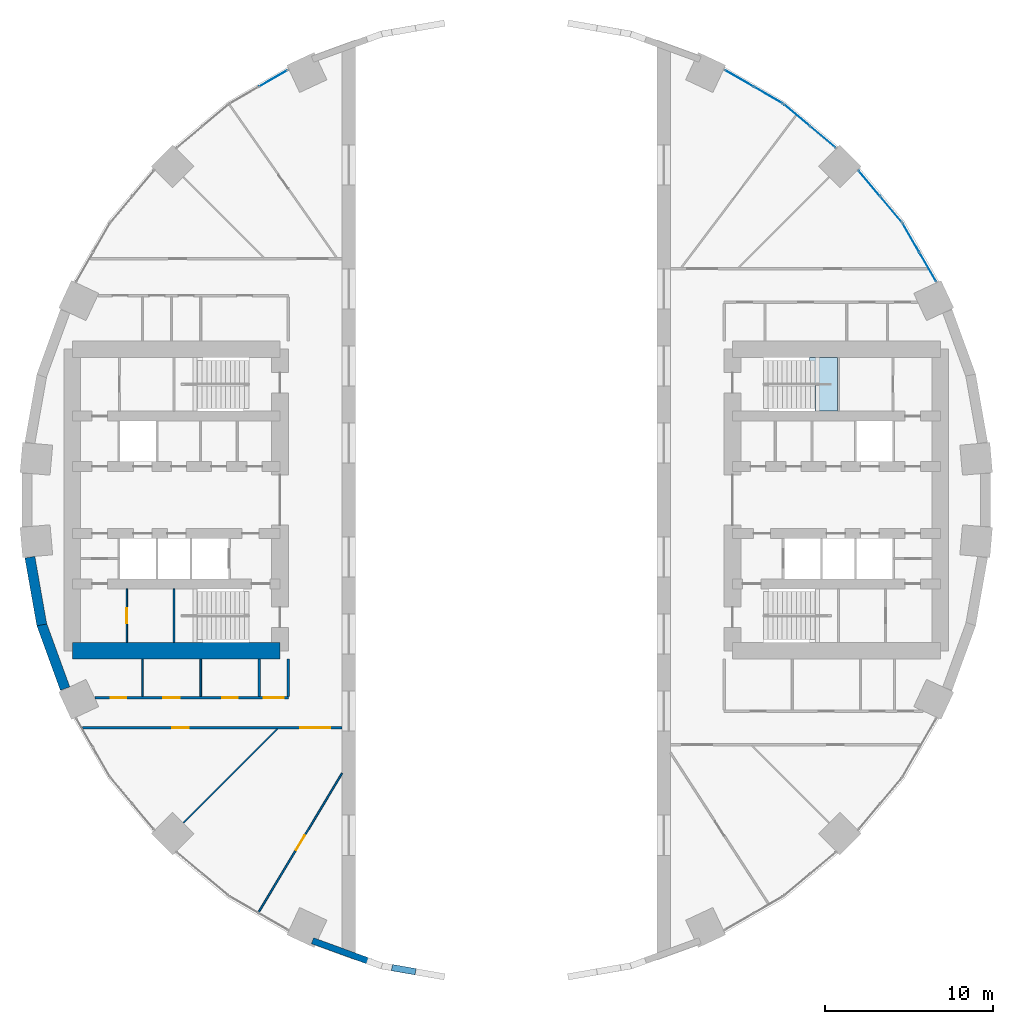
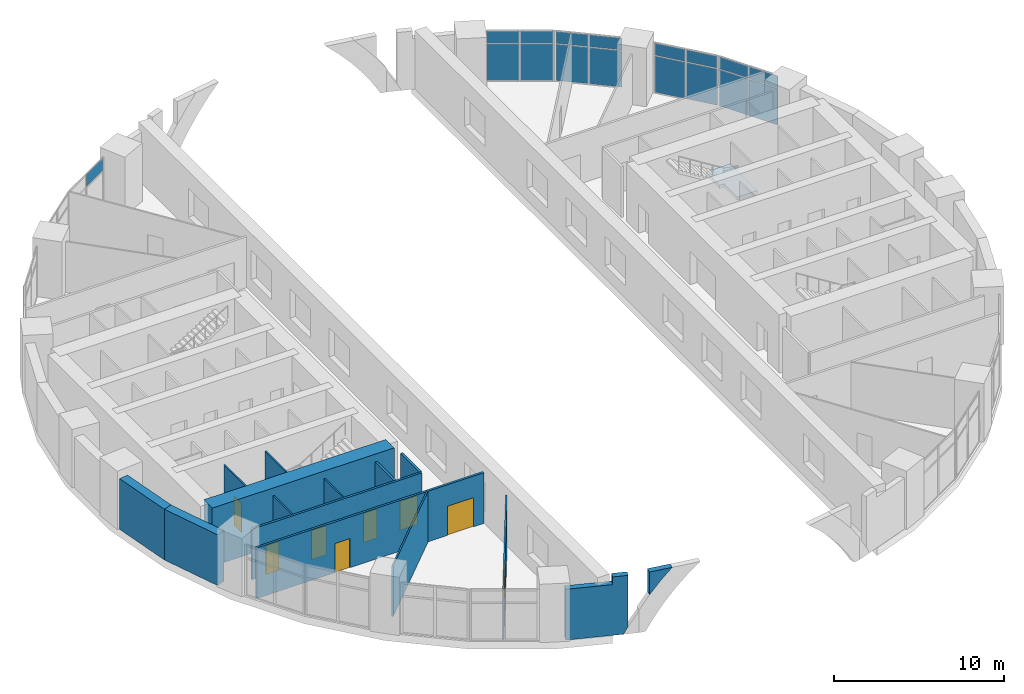
# One storey, part 7 of 13: 17 plates, 15 walls, 8 doors, 1 slab, 8 openings, 6 elements without a shape of their own.
"""IFC4 building model written with IfcOpenShell, lengths in metres."""

import ifcopenshell
import ifcopenshell.guid

model = None  # the IFC model being written
_history = None  # IfcOwnerHistory: only IFC2X3 demands one
_inside = {}  # id of a spatial element -> (the spatial element, [elements in it])
_under = {}  # id of a project, library or spatial element -> (it, [spatial elements below it])
_declared = {}  # id of a project -> (the project, [libraries it declares])
_typed = {}  # id of a type object -> (the type object, [elements of that type])
_made_of = {}  # id of a material, layer set ... -> (it, [elements and type objects made of it])


def new_model(schema):
    """Start an empty IFC model of exactly this schema.

    Asked for "IFC4X3", IfcOpenShell would pick the latest addendum, in which some entities
    have other attributes; the version numbers below select the first issue.
    IFC2X3 requires an IfcOwnerHistory on every rooted entity: one is made here for all.
    """
    global model, _history
    if schema == "IFC4X3":
        model = ifcopenshell.file(schema_version=(4, 3, 0, 0))
    else:
        model = ifcopenshell.file(schema=schema)
    _inside.clear()
    _under.clear()
    _declared.clear()
    _typed.clear()
    _made_of.clear()
    _history = None
    if model.schema == "IFC2X3":
        org = make("IfcOrganization", Name="unknown")
        user = make(
            "IfcPersonAndOrganization",
            ThePerson=make("IfcPerson", FamilyName="unknown"),
            TheOrganization=org,
        )
        app = make(
            "IfcApplication",
            ApplicationDeveloper=org,
            Version="unknown",
            ApplicationFullName="unknown",
            ApplicationIdentifier="unknown",
        )
        _history = make(
            "IfcOwnerHistory",
            OwningUser=user,
            OwningApplication=app,
            ChangeAction="ADDED",
            CreationDate=0,
        )
    return model


def make(cls, **values):
    """One entity of the class cls with the attributes given. An attribute that is None is left unset."""
    return model.create_entity(
        cls, **{name: value for name, value in values.items() if value is not None}
    )


def rooted(cls, **values):
    """An entity with a GlobalId (a new one), such as an element, a storey or a relation."""
    return make(cls, GlobalId=ifcopenshell.guid.new(), OwnerHistory=_history, **values)


def si_unit(unit_type, name, prefix=None):
    """IfcSIUnit, for example si_unit("LENGTHUNIT", "METRE", prefix="MILLI")."""
    return make("IfcSIUnit", UnitType=unit_type, Prefix=prefix, Name=name)


def assignment(units):
    """IfcUnitAssignment: the units of a project."""
    return None if units is None else make("IfcUnitAssignment", Units=units)


def point(xyz):
    """IfcCartesianPoint."""
    return None if xyz is None else make("IfcCartesianPoint", Coordinates=xyz)


def direction(xyz):
    """IfcDirection."""
    return None if xyz is None else make("IfcDirection", DirectionRatios=xyz)


def frame(location, z_axis=None, x_axis=None):
    """IfcAxis2Placement3D, a coordinate frame: its origin and axes. An axis left out is left unset."""
    return make(
        "IfcAxis2Placement3D",
        Location=point(location),
        Axis=direction(z_axis),
        RefDirection=direction(x_axis),
    )


def frame_2d(location, x_axis=None):
    """IfcAxis2Placement2D, a coordinate frame in the plane: its origin and x axis."""
    return make(
        "IfcAxis2Placement2D", Location=point(location), RefDirection=direction(x_axis)
    )


def origin():
    """The frame at (0, 0, 0) with its axes left unset."""
    return frame((0.0, 0.0, 0.0))


def origin_2d():
    """The frame at (0, 0) in the plane with its x axis left unset."""
    return frame_2d((0.0, 0.0))


def place(relative_to, where):
    """IfcLocalPlacement: puts the frame where relative to a parent placement (None: the world)."""
    return make(
        "IfcLocalPlacement", PlacementRelTo=relative_to, RelativePlacement=where
    )


def context(
    kind, dimensions, precision=None, world=None, true_north=None, identifier=None
):
    """IfcGeometricRepresentationContext, for example the 3D "Model" context."""
    return make(
        "IfcGeometricRepresentationContext",
        ContextIdentifier=identifier,
        ContextType=kind,
        CoordinateSpaceDimension=dimensions,
        Precision=precision,
        WorldCoordinateSystem=world,
        TrueNorth=true_north,
    )


def subcontext(parent, identifier, kind, view, scale=None):
    """IfcGeometricRepresentationSubContext, for example "Body" below "Model"."""
    return make(
        "IfcGeometricRepresentationSubContext",
        ContextIdentifier=identifier,
        ContextType=kind,
        ParentContext=parent,
        TargetScale=scale,
        TargetView=view,
    )


def project(units=None, contexts=None):
    """IfcProject with its units and contexts."""
    return rooted(
        "IfcProject",
        Name="project",
        RepresentationContexts=contexts,
        UnitsInContext=assignment(units),
    )


def spatial(cls, under=None, at=None, **own):
    """A site, building, storey or space (cls), placed at a placement, below another one or the project."""
    s = rooted(cls, ObjectPlacement=at, **own)
    if under is not None:
        _under.setdefault(under.id(), (under, []))[1].append(s)
    return s


def polyline(points):
    """IfcPolyline through the points."""
    return make("IfcPolyline", Points=[point(p) for p in points])


def profile(cls, at=None, kind="AREA", **sizes):
    """A parametric profile (cls). Its sizes go by their IFC names, for example OverallWidth=200.0."""
    return make(cls, ProfileType=kind, Position=at, **sizes)


def rectangle(**sizes):
    """IfcRectangleProfileDef."""
    return profile("IfcRectangleProfileDef", **sizes)


def outline(outer, holes=None, kind="AREA"):
    """IfcArbitraryClosedProfileDef: a profile drawn as a closed curve; with holes, ...WithVoids."""
    if holes is None:
        return make("IfcArbitraryClosedProfileDef", ProfileType=kind, OuterCurve=outer)
    return make(
        "IfcArbitraryProfileDefWithVoids",
        ProfileType=kind,
        OuterCurve=outer,
        InnerCurves=holes,
    )


def extrude(swept, where, along, depth):
    """IfcExtrudedAreaSolid: the profile swept, set in the frame where, extruded along a direction by depth."""
    return make(
        "IfcExtrudedAreaSolid",
        SweptArea=swept,
        Position=where,
        ExtrudedDirection=direction(along),
        Depth=depth,
    )


def shape(context_of_items, identifier, shape_type, items):
    """IfcShapeRepresentation: the items that make up one representation, for example the "Body"."""
    return make(
        "IfcShapeRepresentation",
        ContextOfItems=context_of_items,
        RepresentationIdentifier=identifier,
        RepresentationType=shape_type,
        Items=items,
    )


def material(Name=None, Category=None):
    """IfcMaterial."""
    return make("IfcMaterial", Name=Name, Category=Category)


def layer(
    of_material, thickness, ventilated=None, Name=None, Category=None, Priority=None
):
    """IfcMaterialLayer: one layer of a wall or slab, of a material (None: an air gap)."""
    return make(
        "IfcMaterialLayer",
        Material=of_material,
        LayerThickness=thickness,
        IsVentilated=ventilated,
        Name=Name,
        Category=Category,
        Priority=Priority,
    )


def layer_set(layers, Name=None):
    """IfcMaterialLayerSet."""
    return make("IfcMaterialLayerSet", MaterialLayers=layers, LayerSetName=Name)


def made_of(thing, what):
    """Note that an element or type object is made of a material, layer set ...; save() writes the relation."""
    if what is not None:
        _made_of.setdefault(what.id(), (what, []))[1].append(thing)
    return thing


def type_object(cls, material=None, **own):
    """A type object (cls), such as IfcWallType, which elements share."""
    return made_of(rooted(cls, **own), material)


def element(
    cls,
    number,
    at=None,
    inside=None,
    cuts=None,
    type_object=None,
    material=None,
    context=None,
    identifier="Body",
    shape_type=None,
    held_by="IfcProductDefinitionShape",
    body=None,
    shapes=None,
    **own,
):
    """One element of the class cls, such as IfcWall. Its Tag is "e" and its number.

    at: its placement. inside: the storey or other place that contains it. cuts: it is an
    opening in that element (IfcRelVoidsElement). A single representation is given by context,
    identifier, shape_type and body (its items); several are given by shapes. held_by: the class
    of the entity that holds the representations. save() writes the other relations.
    """
    e = rooted(cls, Tag="e%d" % number, ObjectPlacement=at, **own)
    if body is not None:
        shapes = [shape(context, identifier, shape_type, body)]
    if shapes is not None:
        e.Representation = make(held_by, Representations=shapes)
    if inside is not None:
        _inside.setdefault(inside.id(), (inside, []))[1].append(e)
    if cuts is not None:
        rooted(
            "IfcRelVoidsElement", RelatingBuildingElement=cuts, RelatedOpeningElement=e
        )
    if type_object is not None:
        _typed.setdefault(type_object.id(), (type_object, []))[1].append(e)
    return made_of(e, material)


def fill(opening, filler):
    """IfcRelFillsElement: the door or window that sits in an opening."""
    return rooted(
        "IfcRelFillsElement",
        RelatingOpeningElement=opening,
        RelatedBuildingElement=filler,
    )


def aggregate(whole, parts):
    """IfcRelAggregates: a whole, such as a stair, and the parts it consists of."""
    return rooted("IfcRelAggregates", RelatingObject=whole, RelatedObjects=parts)


def save(model, path):
    """Write the relations noted so far, then the file.

    IfcRelAggregates (storeys below a building ...), IfcRelContainedInSpatialStructure (elements
    in a storey), IfcRelDefinesByType, IfcRelAssociatesMaterial and IfcRelDeclares: one each for
    every whole, place, type object, material and project.
    """
    for whole, parts in _under.values():
        aggregate(whole, parts)
    for where, things in _inside.values():
        rooted(
            "IfcRelContainedInSpatialStructure",
            RelatedElements=things,
            RelatingStructure=where,
        )
    for kind, things in _typed.values():
        rooted("IfcRelDefinesByType", RelatedObjects=things, RelatingType=kind)
    for what, things in _made_of.values():
        rooted("IfcRelAssociatesMaterial", RelatedObjects=things, RelatingMaterial=what)
    for by, libraries in _declared.values():
        rooted("IfcRelDeclares", RelatingContext=by, RelatedDefinitions=libraries)
    model.write(path)


model = new_model("IFC4")

# Units and contexts
model_context = context("Model", 3, precision=1e-05, world=origin(), true_north=direction((0.0, 1.0)))
body_context = subcontext(model_context, "Body", "Model", "MODEL_VIEW")
ifc_project = project(units=[si_unit("LENGTHUNIT", "METRE"), si_unit("AREAUNIT", "SQUARE_METRE"), si_unit("VOLUMEUNIT", "CUBIC_METRE"), si_unit("PLANEANGLEUNIT", "RADIAN"), si_unit("MASSUNIT", "GRAM", prefix="KILO")], contexts=[model_context])

# Site, building, storey
site_placement = place(None, origin())
site = spatial("IfcSite", under=ifc_project, at=site_placement, CompositionType="ELEMENT")
building_placement = place(site_placement, origin())
building = spatial("IfcBuilding", under=site, at=building_placement, Name="Saqina Gate Tower", CompositionType="ELEMENT")
storey_placement = place(building_placement, frame((0.0, 0.0, 13.39990234375)))
storey = spatial("IfcBuildingStorey", under=building, at=storey_placement, Name="L03", CompositionType="ELEMENT", Elevation=13.39990234375)

# Curtain wall, plates
ifc_material_1 = material(Name="Aluminium glazing", Category="aluminium")
ifc_layer_1 = layer(ifc_material_1, 0.159912109375)
ifc_layer_set_1 = layer_set([ifc_layer_1], Name="CWT-1")
curtain_wall_type = type_object("IfcCurtainWallType", Name="CWT-1", PredefinedType="NOTDEFINED", material=ifc_layer_set_1)
curtain_wall_1_placement = place(storey_placement, origin())
curtain_wall_1 = element("IfcCurtainWall", 1, at=curtain_wall_1_placement, inside=storey, type_object=curtain_wall_type, Name="Podium shopfront facet 3", PredefinedType="NOTDEFINED")
ifc_material_2 = material(Name="Glass", Category="glass")
ifc_layer_2 = layer(ifc_material_2, 0.028076171875)
ifc_layer_set_2 = layer_set([ifc_layer_2], Name="CWT-1P")
plate_type = type_object("IfcPlateType", Name="CWT-1P", PredefinedType="CURTAIN_PANEL", material=ifc_layer_set_2)
plate_1_placement = place(storey_placement, frame((25.158935546875, 13.90283203125, 0.06005859375), z_axis=(0.0, 0.0, 1.0), x_axis=(-0.500013894893, 0.866017381415, 0.0)))
plate_1 = element("IfcPlate", 2, at=plate_1_placement, type_object=plate_type, Name="CW1-03 panel 1.1", PredefinedType="CURTAIN_PANEL", context=body_context, shape_type="SweptSolid", body=[
    extrude(rectangle(XDim=1.944580078125, YDim=0.028076171875, at=origin_2d()), origin(), (0.0, 0.0, 1.0), 2.610107421875),
])
plate_2_placement = place(storey_placement, frame((25.158935546875, 13.90283203125, 2.72998046875), z_axis=(0.0, 0.0, 1.0), x_axis=(-0.500013894893, 0.866017381415, 0.0)))
plate_2 = element("IfcPlate", 3, at=plate_2_placement, type_object=plate_type, Name="CW1-03 panel 1.2", PredefinedType="CURTAIN_PANEL", context=body_context, shape_type="SweptSolid", body=[
    extrude(rectangle(XDim=1.944580078125, YDim=0.028076171875, at=origin_2d()), origin(), (0.0, 0.0, 1.0), 0.860107421875),
])
plate_3_placement = place(storey_placement, frame((24.15673828125, 15.638671875, 0.06005859375), z_axis=(0.0, 0.0, 1.0), x_axis=(-0.500013894893, 0.866017381415, 0.0)))
plate_3 = element("IfcPlate", 4, at=plate_3_placement, type_object=plate_type, Name="CW1-03 panel 2.1", PredefinedType="CURTAIN_PANEL", context=body_context, shape_type="SweptSolid", body=[
    extrude(rectangle(XDim=1.944580078125, YDim=0.028076171875, at=origin_2d()), origin(), (0.0, 0.0, 1.0), 2.610107421875),
])
plate_4_placement = place(storey_placement, frame((24.15673828125, 15.638671875, 2.72998046875), z_axis=(0.0, 0.0, 1.0), x_axis=(-0.500013894893, 0.866017381415, 0.0)))
plate_4 = element("IfcPlate", 5, at=plate_4_placement, type_object=plate_type, Name="CW1-03 panel 2.2", PredefinedType="CURTAIN_PANEL", context=body_context, shape_type="SweptSolid", body=[
    extrude(rectangle(XDim=1.944580078125, YDim=0.028076171875, at=origin_2d()), origin(), (0.0, 0.0, 1.0), 0.860107421875),
])
aggregate(curtain_wall_1, [plate_1, plate_2, plate_3, plate_4])

curtain_wall_2_placement = place(storey_placement, origin())
curtain_wall_2 = element("IfcCurtainWall", 6, at=curtain_wall_2_placement, inside=storey, type_object=curtain_wall_type, Name="Podium shopfront facet 4", PredefinedType="NOTDEFINED")
plate_5_placement = place(storey_placement, frame((22.957763671875, 17.35107421875, 0.06005859375), z_axis=(0.0, 0.0, 1.0), x_axis=(-0.642779322911, 0.766051396473, 0.0)))
plate_5 = element("IfcPlate", 7, at=plate_5_placement, type_object=plate_type, Name="CW1-04 panel 1.1", PredefinedType="CURTAIN_PANEL", context=body_context, shape_type="SweptSolid", body=[
    extrude(rectangle(XDim=1.944580078125, YDim=0.028076171875, at=origin_2d()), origin(), (0.0, 0.0, 1.0), 2.610107421875),
])
plate_6_placement = place(storey_placement, frame((22.957763671875, 17.35107421875, 2.72998046875), z_axis=(0.0, 0.0, 1.0), x_axis=(-0.642779322911, 0.766051396473, 0.0)))
plate_6 = element("IfcPlate", 8, at=plate_6_placement, type_object=plate_type, Name="CW1-04 panel 1.2", PredefinedType="CURTAIN_PANEL", context=body_context, shape_type="SweptSolid", body=[
    extrude(rectangle(XDim=1.944580078125, YDim=0.028076171875, at=origin_2d()), origin(), (0.0, 0.0, 1.0), 0.860107421875),
])
plate_7_placement = place(storey_placement, frame((21.669189453125, 18.88671875, 0.06005859375), z_axis=(0.0, 0.0, 1.0), x_axis=(-0.642779322911, 0.766051396473, 0.0)))
plate_7 = element("IfcPlate", 9, at=plate_7_placement, type_object=plate_type, Name="CW1-04 panel 2.1", PredefinedType="CURTAIN_PANEL", context=body_context, shape_type="SweptSolid", body=[
    extrude(rectangle(XDim=1.944580078125, YDim=0.028076171875, at=origin_2d()), origin(), (0.0, 0.0, 1.0), 2.610107421875),
])
plate_8_placement = place(storey_placement, frame((21.669189453125, 18.88671875, 2.72998046875), z_axis=(0.0, 0.0, 1.0), x_axis=(-0.642779322911, 0.766051396473, 0.0)))
plate_8 = element("IfcPlate", 10, at=plate_8_placement, type_object=plate_type, Name="CW1-04 panel 2.2", PredefinedType="CURTAIN_PANEL", context=body_context, shape_type="SweptSolid", body=[
    extrude(rectangle(XDim=1.944580078125, YDim=0.028076171875, at=origin_2d()), origin(), (0.0, 0.0, 1.0), 0.860107421875),
])
aggregate(curtain_wall_2, [plate_5, plate_6, plate_7, plate_8])

curtain_wall_3_placement = place(storey_placement, origin())
curtain_wall_3 = element("IfcCurtainWall", 11, at=curtain_wall_3_placement, inside=storey, type_object=curtain_wall_type, Name="Podium shopfront facet 5", PredefinedType="NOTDEFINED")
plate_9_placement = place(storey_placement, frame((18.88671875, 21.669189453125, 0.06005859375), z_axis=(0.0, 0.0, 1.0), x_axis=(-0.766051396473, 0.642779322911, 0.0)))
plate_9 = element("IfcPlate", 12, at=plate_9_placement, type_object=plate_type, Name="CW1-05 panel 1.1", PredefinedType="CURTAIN_PANEL", context=body_context, shape_type="SweptSolid", body=[
    extrude(rectangle(XDim=1.944580078125, YDim=0.028076171875, at=origin_2d()), origin(), (0.0, 0.0, 1.0), 2.610107421875),
])
plate_10_placement = place(storey_placement, frame((18.88671875, 21.669189453125, 2.72998046875), z_axis=(0.0, 0.0, 1.0), x_axis=(-0.766051396473, 0.642779322911, 0.0)))
plate_10 = element("IfcPlate", 13, at=plate_10_placement, type_object=plate_type, Name="CW1-05 panel 1.2", PredefinedType="CURTAIN_PANEL", context=body_context, shape_type="SweptSolid", body=[
    extrude(rectangle(XDim=1.944580078125, YDim=0.028076171875, at=origin_2d()), origin(), (0.0, 0.0, 1.0), 0.860107421875),
])
plate_11_placement = place(storey_placement, frame((17.35107421875, 22.957763671875, 0.06005859375), z_axis=(0.0, 0.0, 1.0), x_axis=(-0.766051396473, 0.642779322911, 0.0)))
plate_11 = element("IfcPlate", 14, at=plate_11_placement, type_object=plate_type, Name="CW1-05 panel 2.1", PredefinedType="CURTAIN_PANEL", context=body_context, shape_type="SweptSolid", body=[
    extrude(rectangle(XDim=1.944580078125, YDim=0.028076171875, at=origin_2d()), origin(), (0.0, 0.0, 1.0), 2.610107421875),
])
plate_12_placement = place(storey_placement, frame((17.35107421875, 22.957763671875, 2.72998046875), z_axis=(0.0, 0.0, 1.0), x_axis=(-0.766051396473, 0.642779322911, 0.0)))
plate_12 = element("IfcPlate", 15, at=plate_12_placement, type_object=plate_type, Name="CW1-05 panel 2.2", PredefinedType="CURTAIN_PANEL", context=body_context, shape_type="SweptSolid", body=[
    extrude(rectangle(XDim=1.944580078125, YDim=0.028076171875, at=origin_2d()), origin(), (0.0, 0.0, 1.0), 0.860107421875),
])
aggregate(curtain_wall_3, [plate_9, plate_10, plate_11, plate_12])

curtain_wall_4_placement = place(storey_placement, origin())
curtain_wall_4 = element("IfcCurtainWall", 16, at=curtain_wall_4_placement, inside=storey, type_object=curtain_wall_type, Name="Podium shopfront facet 6", PredefinedType="NOTDEFINED")
plate_13_placement = place(storey_placement, frame((15.638671875, 24.15673828125, 0.06005859375), z_axis=(0.0, 0.0, 1.0), x_axis=(-0.866017381415, 0.500013894893, 0.0)))
plate_13 = element("IfcPlate", 17, at=plate_13_placement, type_object=plate_type, Name="CW1-06 panel 1.1", PredefinedType="CURTAIN_PANEL", context=body_context, shape_type="SweptSolid", body=[
    extrude(rectangle(XDim=1.944580078125, YDim=0.028076171875, at=origin_2d()), origin(), (0.0, 0.0, 1.0), 2.610107421875),
])
plate_14_placement = place(storey_placement, frame((15.638671875, 24.15673828125, 2.72998046875), z_axis=(0.0, 0.0, 1.0), x_axis=(-0.866017381415, 0.500013894893, 0.0)))
plate_14 = element("IfcPlate", 18, at=plate_14_placement, type_object=plate_type, Name="CW1-06 panel 1.2", PredefinedType="CURTAIN_PANEL", context=body_context, shape_type="SweptSolid", body=[
    extrude(rectangle(XDim=1.944580078125, YDim=0.028076171875, at=origin_2d()), origin(), (0.0, 0.0, 1.0), 0.860107421875),
])
plate_15_placement = place(storey_placement, frame((13.90283203125, 25.158935546875, 0.06005859375), z_axis=(0.0, 0.0, 1.0), x_axis=(-0.866017381415, 0.500013894893, 0.0)))
plate_15 = element("IfcPlate", 19, at=plate_15_placement, type_object=plate_type, Name="CW1-06 panel 2.1", PredefinedType="CURTAIN_PANEL", context=body_context, shape_type="SweptSolid", body=[
    extrude(rectangle(XDim=1.944580078125, YDim=0.028076171875, at=origin_2d()), origin(), (0.0, 0.0, 1.0), 2.610107421875),
])
plate_16_placement = place(storey_placement, frame((13.90283203125, 25.158935546875, 2.72998046875), z_axis=(0.0, 0.0, 1.0), x_axis=(-0.866017381415, 0.500013894893, 0.0)))
plate_16 = element("IfcPlate", 20, at=plate_16_placement, type_object=plate_type, Name="CW1-06 panel 2.2", PredefinedType="CURTAIN_PANEL", context=body_context, shape_type="SweptSolid", body=[
    extrude(rectangle(XDim=1.944580078125, YDim=0.028076171875, at=origin_2d()), origin(), (0.0, 0.0, 1.0), 0.860107421875),
])
aggregate(curtain_wall_4, [plate_13, plate_14, plate_15, plate_16])

# Curtain wall, plate
curtain_wall_5_placement = place(storey_placement, origin())
curtain_wall_5 = element("IfcCurtainWall", 21, at=curtain_wall_5_placement, inside=storey, type_object=curtain_wall_type, Name="Podium shopfront facet 12", PredefinedType="NOTDEFINED")
plate_17_placement = place(storey_placement, frame((-13.90283203125, 25.158935546875, 2.72998046875), z_axis=(0.0, 0.0, 1.0), x_axis=(-0.866017381415, -0.500013894893, 0.0)))
plate_17 = element("IfcPlate", 22, at=plate_17_placement, type_object=plate_type, Name="CW1-12 panel 1.2", PredefinedType="CURTAIN_PANEL", context=body_context, shape_type="SweptSolid", body=[
    extrude(rectangle(XDim=1.944580078125, YDim=0.028076171875, at=origin_2d()), origin(), (0.0, 0.0, 1.0), 0.860107421875),
])
aggregate(curtain_wall_5, [plate_17])

# Stair, slab
ifc_material_3 = material(Name="Concrete C40/50", Category="concrete")
stair_type = type_object("IfcStairType", Name="EXIT STAIR", PredefinedType="HALF_TURN_STAIR", material=ifc_material_3)
stair_placement = place(storey_placement, origin())
stair = element("IfcStair", 23, at=stair_placement, inside=storey, type_object=stair_type, Name="EXIT STAIR 1", PredefinedType="HALF_TURN_STAIR")
ifc_material_4 = material(Name="Concrete C40/50", Category="concrete")
ifc_layer_3 = layer(ifc_material_4, 0.25)
ifc_layer_set_3 = layer_set([ifc_layer_3], Name="Concrete C40/50")
slab_type = type_object("IfcSlabType", Name="EXIT STAIR LANDING", PredefinedType="LANDING", material=ifc_layer_set_3)
slab_placement = place(storey_placement, frame((0.0, 0.0, 1.85009765625)))
slab = element("IfcSlab", 24, at=slab_placement, type_object=slab_type, Name="EXIT STAIR 1 LANDING 1", PredefinedType="LANDING", context=body_context, shape_type="SweptSolid", body=[
    extrude(outline(polyline([(19.780029296875, 8.5), (19.780029296875, 5.300048828125), (18.425048828125, 5.300048828125), (18.425048828125, 6.89990234375), (18.10693359375, 6.89990234375), (18.10693359375, 8.5), (18.425048828125, 8.5), (18.429931640625, 8.5), (19.780029296875, 8.5)])), origin(), (0.0, 0.0, 1.0), 0.25),
])
aggregate(stair, [slab])

# Wall, opening, door
ifc_material_5 = material(Name="Gypsum board on steel studs", Category="steel")
ifc_layer_4 = layer(ifc_material_5, 0.10009765625)
ifc_layer_set_4 = layer_set([ifc_layer_4], Name="CORE PARTITION")
wall_type_1 = type_object("IfcWallType", Name="CORE PARTITION", PredefinedType="PARTITIONING", material=ifc_layer_set_4)
wall_1_placement = place(storey_placement, frame((-22.639892578125, -8.5, 0.0), z_axis=(0.0, 0.0, 1.0), x_axis=(0.0, 1.0, 0.0)))
wall_1 = element("IfcWall", 25, at=wall_1_placement, inside=storey, type_object=wall_type_1, Name="L03-CP-W13", PredefinedType="PARTITIONING", context=body_context, shape_type="SweptSolid", body=[
    extrude(rectangle(XDim=3.199951171875, YDim=0.10009765625, at=frame_2d((1.60009765625, 0.0))), origin(), (0.0, 0.0, 1.0), 3.650146484375),
])
opening_1_placement = place(wall_1_placement, frame((1.14990234375, 0.0, 0.0)))
opening_1 = element("IfcOpeningElement", 26, at=opening_1_placement, cuts=wall_1, Name="Opening L03-D114", PredefinedType="OPENING", context=body_context, shape_type="SweptSolid", body=[
    extrude(rectangle(XDim=0.89990234375, YDim=2.10009765625, at=frame_2d((0.449951171875, 1.050048828125))), frame((0.0, 0.06201171875, 0.0), z_axis=(0.0, -1.0, 0.0), x_axis=(1.0, 0.0, 0.0)), (0.0, 0.0, 1.0), 0.1240234375),
])
ifc_material_6 = material(Name="Steel-framed fire door leaf, EI 60", Category="steel")
door_type_1 = type_object("IfcDoorType", Name="SERVICE ROOM DOOR 900", OperationType="SINGLE_SWING_LEFT", PredefinedType="DOOR", material=ifc_material_6)
door_1_placement = place(opening_1_placement, frame((0.89990234375, 0.0, 0.0), z_axis=(0.0, 0.0, 1.0), x_axis=(-1.0, 0.0, 0.0)))
door_1 = element("IfcDoor", 27, at=door_1_placement, inside=storey, type_object=door_type_1, Name="L03-CD-W25", OperationType="SINGLE_SWING_RIGHT", OverallHeight=2.10009765625, OverallWidth=0.89990234375, PredefinedType="DOOR", context=body_context, shape_type="SweptSolid", body=[
    extrude(rectangle(XDim=0.89990234375, YDim=2.10009765625, at=frame_2d((0.449951171875, 1.050048828125))), frame((0.0, 0.02490234375, 0.0), z_axis=(0.0, -1.0, 0.0), x_axis=(1.0, 0.0, 0.0)), (0.0, 0.0, 1.0), 0.050048828125),
])
fill(opening_1, door_1)

# Walls
ifc_material_7 = material(Name="Glazed ceramic tile", Category="ceramic")
ifc_layer_5 = layer(ifc_material_7, 0.3798828125)
ifc_layer_set_5 = layer_set([ifc_layer_5], Name="FW-ARCH")
wall_type_2 = type_object("IfcWallType", Name="FW-ARCH", PredefinedType="SOLIDWALL", material=ifc_layer_set_5)
wall_2_placement = place(storey_placement, frame((-8.99072265625, -27.44287109375, 0.0), z_axis=(-0.342026905008, -0.939688050207, 0.001991117406), x_axis=(-0.93968991291, 0.342027583063, 3.2668e-08)))
element("IfcWall", 28, at=wall_2_placement, inside=storey, type_object=wall_type_2, Name="Arch frame wall L03 facet 25", PredefinedType="SOLIDWALL", context=body_context, shape_type="SweptSolid", body=[
    extrude(outline(polyline([(0.0, 0.0), (2.810119309704452, -2.168404344971009e-19), (2.8101633433033313, -3.650153701678554), (4.4033598879278454e-05, -3.650153701678554), (0.00023214922489823693, -4.200203889688386), (-0.9351393956652897, -4.200203611963998), (-0.9352440084634126, -3.65015388074659), (-0.9351834301494684, -0.5229503546293558), (-0.6567874697884446, -8.514178313821872e-08), (0.0, 0.0)])), origin(), (0.0, 0.0, -1.0), 0.3798828125),
])
wall_3_placement = place(storey_placement, frame((-6.85498046875, -28.092041015625, 3.650146484375), z_axis=(-0.173592249401, -0.984815515908, 0.002032381516), x_axis=(0.000403885005, 0.001992521419, 0.999997933366)))
element("IfcWall", 29, at=wall_3_placement, inside=storey, type_object=wall_type_2, Name="Arch frame wall L03 facet 26", PredefinedType="SOLIDWALL", context=body_context, shape_type="SweptSolid", body=[
    extrude(outline(polyline([(0.0, 0.0), (0.5500502222569829, 1.3552527156068805e-20), (0.550124360957558, -1.4326541699575994), (-0.17720772804126542, -0.745017593453658), (-1.0874041853396872, 8.54205205334078e-05), (0.0, 0.0)])), origin(), (0.0, 0.0, -1.0), 0.3798828125),
])
ifc_material_8 = material(Name="Glazed ceramic tile", Category="ceramic")
ifc_layer_6 = layer(ifc_material_8, 0.60009765625)
ifc_layer_set_6 = layer_set([ifc_layer_6], Name="FW-TILE")
wall_type_3 = type_object("IfcWallType", Name="FW-TILE", PredefinedType="SOLIDWALL", material=ifc_layer_set_6)
wall_4_placement = place(storey_placement, frame((-27.72998046875, -7.403076171875, 0.0), z_axis=(0.0, 0.0, 1.0), x_axis=(0.342034744565, -0.939687306241, 0.0)))
element("IfcWall", 30, at=wall_4_placement, inside=storey, type_object=wall_type_3, Name="Facade wall L03 facet 20", PredefinedType="SOLIDWALL", context=body_context, shape_type="SweptSolid", body=[
    extrude(rectangle(XDim=4.099365234375, YDim=0.60009765625, at=frame_2d((2.0498046875, 0.0))), origin(), (0.0, 0.0, 1.0), 3.650146484375),
])
ifc_material_9 = material(Name="Glazed ceramic tile (dark blue)", Category="ceramic")
ifc_layer_7 = layer(ifc_material_9, 0.60009765625)
ifc_layer_set_7 = layer_set([ifc_layer_7], Name="FW-TILE-CB")
wall_type_4 = type_object("IfcWallType", Name="FW-TILE-CB", PredefinedType="SOLIDWALL", material=ifc_layer_set_7)
wall_5_placement = place(storey_placement, frame((-28.42822265625, -3.416748046875, 0.0), z_axis=(0.0, 0.0, 1.0), x_axis=(0.173673210505, -0.984803338719, 0.0)))
element("IfcWall", 31, at=wall_5_placement, inside=storey, type_object=wall_type_4, Name="Facade wall L03 facet 19", PredefinedType="SOLIDWALL", context=body_context, shape_type="SweptSolid", body=[
    extrude(rectangle(XDim=4.09912109375, YDim=0.60009765625, at=frame_2d((2.049560546875, 0.0))), origin(), (0.0, 0.0, 1.0), 3.650146484375),
])
ifc_material_10 = material(Name="Gypsum board on steel studs, 100 mm", Category="steel")
ifc_layer_8 = layer(ifc_material_10, 0.10009765625)
ifc_layer_set_8 = layer_set([ifc_layer_8], Name="SPECIAL PARTITION 100")
wall_type_5 = type_object("IfcWallType", Name="SPECIAL PARTITION 100", PredefinedType="PARTITIONING", material=ifc_layer_set_8)
wall_6_placement = place(storey_placement, frame((-19.26171875, -19.26171875, 0.0), z_axis=(0.0, 0.0, 1.0), x_axis=(0.707106781187, 0.707106781187, 0.0)))
element("IfcWall", 32, at=wall_6_placement, inside=storey, type_object=wall_type_5, Name="PARTITION 013", PredefinedType="PARTITIONING", context=body_context, shape_type="SweptSolid", body=[
    extrude(rectangle(XDim=7.931884765625, YDim=0.10009765625, at=frame_2d((3.9658203125, 0.0))), origin(), (0.0, 0.0, 1.0), 3.650146484375),
])

# Wall, opening, door
wall_7_placement = place(storey_placement, frame((-14.778076171875, -24.594970703125, 0.0), z_axis=(0.0, 0.0, 1.0), x_axis=(0.515034268369, 0.857169587891, 0.0)))
wall_7 = element("IfcWall", 33, at=wall_7_placement, inside=storey, type_object=wall_type_5, Name="PARTITION 016", PredefinedType="PARTITIONING", context=body_context, shape_type="SweptSolid", body=[
    extrude(rectangle(XDim=9.66552734375, YDim=0.10009765625, at=frame_2d((4.832763671875, 0.0))), origin(), (0.0, 0.0, 1.0), 3.650146484375),
])
opening_2_placement = place(wall_7_placement, frame((4.332763671875, 0.0, 0.0)))
opening_2 = element("IfcOpeningElement", 34, at=opening_2_placement, cuts=wall_7, Name="Opening L03-D21", PredefinedType="OPENING", context=body_context, shape_type="SweptSolid", body=[
    extrude(rectangle(XDim=1.0, YDim=2.10009765625, at=frame_2d((0.5, 1.050048828125))), frame((0.0, 0.06201171875, 0.0), z_axis=(0.0, -1.0, 0.0), x_axis=(1.0, 0.0, 0.0)), (0.0, 0.0, 1.0), 0.1240234375),
])
ifc_material_11 = material(Name="Timber door leaf", Category="wood")
door_type_2 = type_object("IfcDoorType", Name="SPECIAL DOOR 1000 TIMBER", OperationType="SINGLE_SWING_LEFT", PredefinedType="DOOR", material=ifc_material_11)
door_2_placement = place(opening_2_placement, origin())
door_2 = element("IfcDoor", 35, at=door_2_placement, inside=storey, type_object=door_type_2, Name="DOOR L03-D21", OperationType="SINGLE_SWING_LEFT", OverallHeight=2.10009765625, OverallWidth=1.0, PredefinedType="DOOR", context=body_context, shape_type="SweptSolid", body=[
    extrude(rectangle(XDim=1.0, YDim=2.10009765625, at=frame_2d((0.5, 1.050048828125))), frame((0.0, 0.02490234375, 0.0), z_axis=(0.0, -1.0, 0.0), x_axis=(1.0, 0.0, 0.0)), (0.0, 0.0, 1.0), 0.050048828125),
])
fill(opening_2, door_2)

# Walls
for number, where, z_axis, x_axis, name in (
    (36, (-18.22900390625, -11.72509765625, 0.0), (0.0, 0.0, 1.0), (0.0, 1.0, 0.0), "PARTITION 028"),
    (37, (-21.714111328125, -11.72509765625, 0.0), (0.0, 0.0, 1.0), (0.0, 1.0, 0.0), "PARTITION 031"),
):
    element("IfcWall", number, at=place(storey_placement, frame(where, z_axis=z_axis, x_axis=x_axis)), inside=storey, type_object=wall_type_5, Name=name, PredefinedType="PARTITIONING", context=body_context, shape_type="SweptSolid", body=[
        extrude(rectangle(XDim=2.22509765625, YDim=0.10009765625, at=frame_2d((1.112548828125, 0.0))), origin(), (0.0, 0.0, 1.0), 3.650146484375),
    ])

# Wall, openings, doors
ifc_material_12 = material(Name="Gypsum board on steel studs, 150 mm, fire rated", Category="steel")
ifc_layer_9 = layer(ifc_material_12, 0.14990234375)
ifc_layer_set_9 = layer_set([ifc_layer_9], Name="SPECIAL PARTITION EI 30 150")
wall_type_6 = type_object("IfcWallType", Name="SPECIAL PARTITION EI 30 150", PredefinedType="PARTITIONING", material=ifc_layer_set_9)
wall_8_placement = place(storey_placement, frame((-25.27587890625, -13.60009765625, 0.0), z_axis=(0.0, 0.0, 1.0), x_axis=(1.0, 0.0, 0.0)))
wall_8 = element("IfcWall", 38, at=wall_8_placement, inside=storey, type_object=wall_type_6, Name="PARTITION 006", PredefinedType="PARTITIONING", context=body_context, shape_type="SweptSolid", body=[
    extrude(rectangle(XDim=15.475830078125, YDim=0.14990234375, at=frame_2d((7.73779296875, 0.0))), origin(), (0.0, 0.0, 1.0), 3.650146484375),
])
opening_3_placement = place(wall_8_placement, frame((5.3369140625, 0.0, 0.0)))
opening_3 = element("IfcOpeningElement", 39, at=opening_3_placement, cuts=wall_8, Name="Opening L03-D17", PredefinedType="OPENING", context=body_context, shape_type="SweptSolid", body=[
    extrude(rectangle(XDim=1.0, YDim=2.10009765625, at=frame_2d((0.5, 1.050048828125))), frame((0.0, 0.0869140625, 0.0), z_axis=(0.0, -1.0, 0.0), x_axis=(1.0, 0.0, 0.0)), (0.0, 0.0, 1.0), 0.173828125),
])
opening_4_placement = place(wall_8_placement, frame((12.97412109375, 0.0, 0.0)))
opening_4 = element("IfcOpeningElement", 40, at=opening_4_placement, cuts=wall_8, Name="Opening L03-D20", PredefinedType="OPENING", context=body_context, shape_type="SweptSolid", body=[
    extrude(rectangle(XDim=1.800048828125, YDim=2.10009765625, at=frame_2d((0.89990234375, 1.050048828125))), frame((0.0, 0.0869140625, 0.0), z_axis=(0.0, -1.0, 0.0), x_axis=(1.0, 0.0, 0.0)), (0.0, 0.0, 1.0), 0.173828125),
])
ifc_material_13 = material(Name="Steel-framed fire door leaf, EI 30", Category="steel")
door_type_3 = type_object("IfcDoorType", Name="SPECIAL DOOR 1000 FIRE EI 30", OperationType="SINGLE_SWING_LEFT", PredefinedType="DOOR", material=ifc_material_13)
door_3_placement = place(opening_3_placement, frame((1.0, 0.0, 0.0), z_axis=(0.0, 0.0, 1.0), x_axis=(-1.0, 0.0, 0.0)))
door_3 = element("IfcDoor", 41, at=door_3_placement, inside=storey, type_object=door_type_3, Name="DOOR L03-D17", OperationType="SINGLE_SWING_RIGHT", OverallHeight=2.10009765625, OverallWidth=1.0, PredefinedType="DOOR", context=body_context, shape_type="SweptSolid", body=[
    extrude(rectangle(XDim=1.0, YDim=2.10009765625, at=frame_2d((0.5, 1.050048828125))), frame((0.0, 0.02490234375, 0.0), z_axis=(0.0, -1.0, 0.0), x_axis=(1.0, 0.0, 0.0)), (0.0, 0.0, 1.0), 0.050048828125),
])
fill(opening_3, door_3)
ifc_material_14 = material(Name="Steel-framed fire door leaf, EI 30", Category="steel")
door_type_4 = type_object("IfcDoorType", Name="SPECIAL DOUBLE DOOR 1800 FIRE EI 30", OperationType="DOUBLE_DOOR_SINGLE_SWING", PredefinedType="DOOR", material=ifc_material_14)
door_4_placement = place(opening_4_placement, origin())
door_4 = element("IfcDoor", 42, at=door_4_placement, inside=storey, type_object=door_type_4, Name="DOOR L03-D20", OperationType="DOUBLE_DOOR_SINGLE_SWING", OverallHeight=2.10009765625, OverallWidth=1.800048828125, PredefinedType="DOOR", context=body_context, shape_type="SweptSolid", body=[
    extrude(rectangle(XDim=1.800048828125, YDim=2.10009765625, at=frame_2d((0.89990234375, 1.050048828125))), frame((0.0, 0.02490234375, 0.0), z_axis=(0.0, -1.0, 0.0), x_axis=(1.0, 0.0, 0.0)), (0.0, 0.0, 1.0), 0.050048828125),
])
fill(opening_4, door_4)

ifc_material_15 = material(Name="Masonry block and plaster, 150 mm, fire rated", Category="masonry")
ifc_layer_10 = layer(ifc_material_15, 0.14990234375)
ifc_layer_set_10 = layer_set([ifc_layer_10], Name="SPECIAL PARTITION EI 60 150")
wall_type_7 = type_object("IfcWallType", Name="SPECIAL PARTITION EI 60 150", PredefinedType="PARTITIONING", material=ifc_layer_set_10)
wall_9_placement = place(storey_placement, frame((-24.5537109375, -11.800048828125, 0.0), z_axis=(0.0, 0.0, 1.0), x_axis=(1.0, 0.0, 0.0)))
wall_9 = element("IfcWall", 43, at=wall_9_placement, inside=storey, type_object=wall_type_7, Name="PARTITION 008", PredefinedType="PARTITIONING", context=body_context, shape_type="SweptSolid", body=[
    extrude(rectangle(XDim=11.5537109375, YDim=0.14990234375, at=frame_2d((5.77685546875, 0.0))), origin(), (0.0, 0.0, 1.0), 3.650146484375),
])
opening_5_placement = place(wall_9_placement, frame((0.964111328125, 0.0, 0.0)))
opening_5 = element("IfcOpeningElement", 44, at=opening_5_placement, cuts=wall_9, Name="Opening L03-D15", PredefinedType="OPENING", context=body_context, shape_type="SweptSolid", body=[
    extrude(rectangle(XDim=0.89990234375, YDim=2.10009765625, at=frame_2d((0.449951171875, 1.050048828125))), frame((0.0, 0.0869140625, 0.0), z_axis=(0.0, -1.0, 0.0), x_axis=(1.0, 0.0, 0.0)), (0.0, 0.0, 1.0), 0.173828125),
])
opening_6_placement = place(wall_9_placement, frame((4.08203125, 0.0, 0.0)))
opening_6 = element("IfcOpeningElement", 45, at=opening_6_placement, cuts=wall_9, Name="Opening L03-D16", PredefinedType="OPENING", context=body_context, shape_type="SweptSolid", body=[
    extrude(rectangle(XDim=1.0, YDim=2.10009765625, at=frame_2d((0.5, 1.050048828125))), frame((0.0, 0.0869140625, 0.0), z_axis=(0.0, -1.0, 0.0), x_axis=(1.0, 0.0, 0.0)), (0.0, 0.0, 1.0), 0.173828125),
])
opening_7_placement = place(wall_9_placement, frame((7.61767578125, 0.0, 0.0)))
opening_7 = element("IfcOpeningElement", 46, at=opening_7_placement, cuts=wall_9, Name="Opening L03-D18", PredefinedType="OPENING", context=body_context, shape_type="SweptSolid", body=[
    extrude(rectangle(XDim=0.89990234375, YDim=2.10009765625, at=frame_2d((0.449951171875, 1.050048828125))), frame((0.0, 0.0869140625, 0.0), z_axis=(0.0, -1.0, 0.0), x_axis=(1.0, 0.0, 0.0)), (0.0, 0.0, 1.0), 0.173828125),
])
opening_8_placement = place(wall_9_placement, frame((10.08203125, 0.0, 0.0)))
opening_8 = element("IfcOpeningElement", 47, at=opening_8_placement, cuts=wall_9, Name="Opening L03-D19", PredefinedType="OPENING", context=body_context, shape_type="SweptSolid", body=[
    extrude(rectangle(XDim=1.199951171875, YDim=2.10009765625, at=frame_2d((0.60009765625, 1.050048828125))), frame((0.0, 0.0869140625, 0.0), z_axis=(0.0, -1.0, 0.0), x_axis=(1.0, 0.0, 0.0)), (0.0, 0.0, 1.0), 0.173828125),
])
ifc_material_16 = material(Name="Steel-framed fire door leaf, EI 60", Category="steel")
door_type_5 = type_object("IfcDoorType", Name="SPECIAL DOOR 1000 FIRE EI 60", OperationType="SINGLE_SWING_LEFT", PredefinedType="DOOR", material=ifc_material_16)
door_5_placement = place(opening_6_placement, origin())
door_5 = element("IfcDoor", 48, at=door_5_placement, inside=storey, type_object=door_type_5, Name="DOOR L03-D16", OperationType="SINGLE_SWING_LEFT", OverallHeight=2.10009765625, OverallWidth=1.0, PredefinedType="DOOR", context=body_context, shape_type="SweptSolid", body=[
    extrude(rectangle(XDim=1.0, YDim=2.10009765625, at=frame_2d((0.5, 1.050048828125))), frame((0.0, 0.02490234375, 0.0), z_axis=(0.0, -1.0, 0.0), x_axis=(1.0, 0.0, 0.0)), (0.0, 0.0, 1.0), 0.050048828125),
])
fill(opening_6, door_5)
ifc_material_17 = material(Name="Steel-framed fire door leaf, EI 60", Category="steel")
door_type_6 = type_object("IfcDoorType", Name="SPECIAL DOOR 1200 FIRE EI 60", OperationType="SINGLE_SWING_LEFT", PredefinedType="DOOR", material=ifc_material_17)
door_6_placement = place(opening_8_placement, origin())
door_6 = element("IfcDoor", 49, at=door_6_placement, inside=storey, type_object=door_type_6, Name="DOOR L03-D19", OperationType="SINGLE_SWING_RIGHT", OverallHeight=2.10009765625, OverallWidth=1.199951171875, PredefinedType="DOOR", context=body_context, shape_type="SweptSolid", body=[
    extrude(rectangle(XDim=1.199951171875, YDim=2.10009765625, at=frame_2d((0.60009765625, 1.050048828125))), frame((0.0, 0.02490234375, 0.0), z_axis=(0.0, -1.0, 0.0), x_axis=(1.0, 0.0, 0.0)), (0.0, 0.0, 1.0), 0.050048828125),
])
fill(opening_8, door_6)
ifc_material_18 = material(Name="Steel-framed fire door leaf, EI 60", Category="steel")
door_type_7 = type_object("IfcDoorType", Name="SPECIAL DOOR 900 FIRE EI 60", OperationType="SINGLE_SWING_LEFT", PredefinedType="DOOR", material=ifc_material_18)
door_7_placement = place(opening_5_placement, origin())
door_7 = element("IfcDoor", 50, at=door_7_placement, inside=storey, type_object=door_type_7, Name="DOOR L03-D15", OperationType="SINGLE_SWING_LEFT", OverallHeight=2.10009765625, OverallWidth=0.89990234375, PredefinedType="DOOR", context=body_context, shape_type="SweptSolid", body=[
    extrude(rectangle(XDim=0.89990234375, YDim=2.10009765625, at=frame_2d((0.449951171875, 1.050048828125))), frame((0.0, 0.02490234375, 0.0), z_axis=(0.0, -1.0, 0.0), x_axis=(1.0, 0.0, 0.0)), (0.0, 0.0, 1.0), 0.050048828125),
])
fill(opening_5, door_7)
door_8_placement = place(opening_7_placement, origin())
door_8 = element("IfcDoor", 51, at=door_8_placement, inside=storey, type_object=door_type_7, Name="DOOR L03-D18", OperationType="SINGLE_SWING_RIGHT", OverallHeight=2.10009765625, OverallWidth=0.89990234375, PredefinedType="DOOR", context=body_context, shape_type="SweptSolid", body=[
    extrude(rectangle(XDim=0.89990234375, YDim=2.10009765625, at=frame_2d((0.449951171875, 1.050048828125))), frame((0.0, 0.02490234375, 0.0), z_axis=(0.0, -1.0, 0.0), x_axis=(1.0, 0.0, 0.0)), (0.0, 0.0, 1.0), 0.050048828125),
])
fill(opening_7, door_8)

# Walls
for number, where, z_axis, x_axis, name in (
    (52, (-13.0, -11.72509765625, 0.0), (0.0, 0.0, 1.0), (0.0, 1.0, 0.0), "PARTITION 025"),
    (53, (-14.742919921875, -11.72509765625, 0.0), (0.0, 0.0, 1.0), (0.0, 1.0, 0.0), "PARTITION 027"),
):
    element("IfcWall", number, at=place(storey_placement, frame(where, z_axis=z_axis, x_axis=x_axis)), inside=storey, type_object=wall_type_7, Name=name, PredefinedType="PARTITIONING", context=body_context, shape_type="SweptSolid", body=[
        extrude(rectangle(XDim=2.22509765625, YDim=0.14990234375, at=frame_2d((1.112548828125, 0.0))), origin(), (0.0, 0.0, 1.0), 3.650146484375),
    ])
ifc_material_19 = material(Name="Autoclaved aerated concrete block", Category="concrete")
ifc_layer_11 = layer(ifc_material_19, 0.10009765625)
ifc_layer_set_11 = layer_set([ifc_layer_11], Name="STAIR ENCLOSURE WALL")
wall_type_8 = type_object("IfcWallType", Name="STAIR ENCLOSURE WALL", PredefinedType="PARTITIONING", material=ifc_layer_set_11)
wall_10_placement = place(storey_placement, frame((-19.830078125, -8.5, 0.0), z_axis=(0.0, 0.0, 1.0), x_axis=(0.0, 1.0, 0.0)))
element("IfcWall", 54, at=wall_10_placement, inside=storey, type_object=wall_type_8, Name="L03-CP-W12", PredefinedType="PARTITIONING", context=body_context, shape_type="SweptSolid", body=[
    extrude(rectangle(XDim=3.199951171875, YDim=0.10009765625, at=frame_2d((1.60009765625, 0.0))), origin(), (0.0, 0.0, 1.0), 3.650146484375),
])
ifc_material_20 = material(Name="Concrete C70/85", Category="concrete")
ifc_layer_12 = layer(ifc_material_20, 1.0)
ifc_layer_set_12 = layer_set([ifc_layer_12], Name="Concrete C70/85")
wall_type_9 = type_object("IfcWallType", Name="STR-CORE WALL-P-O", PredefinedType="SHEAR", material=ifc_layer_set_12)
wall_11_placement = place(storey_placement, frame((-13.5, -9.0, 0.0), z_axis=(0.0, 0.0, 1.0), x_axis=(-1.0, 0.0, 0.0)))
element("IfcWall", 55, at=wall_11_placement, inside=storey, type_object=wall_type_9, Name="CORE WALL L03 W-SE", PredefinedType="SHEAR", context=body_context, shape_type="SweptSolid", body=[
    extrude(rectangle(XDim=12.39990234375, YDim=1.0, at=frame_2d((6.199951171875, 0.0))), origin(), (0.0, 0.0, 1.0), 4.2001953125),
])

save(model, "model.ifc")
